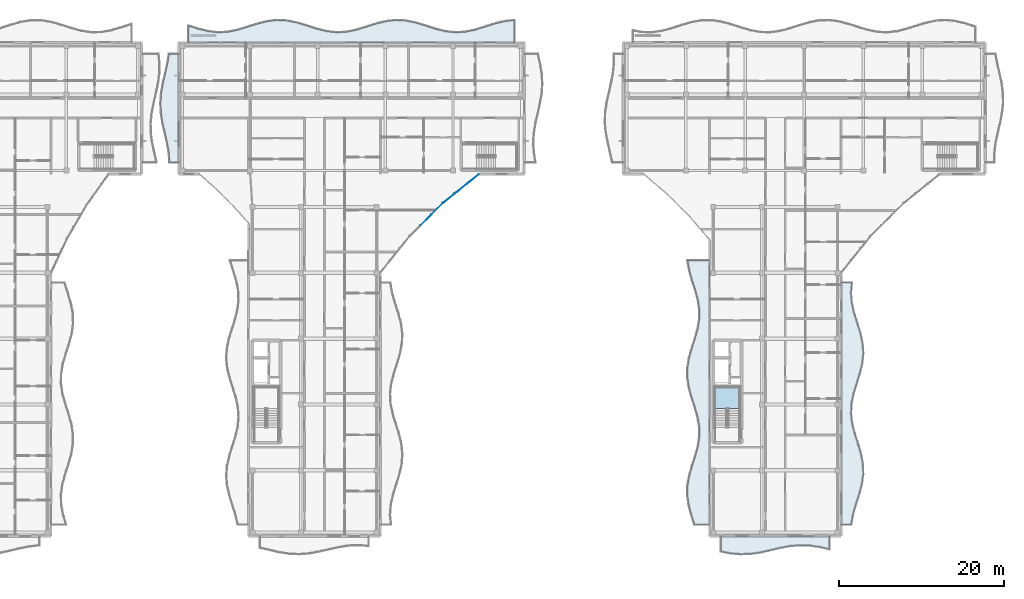
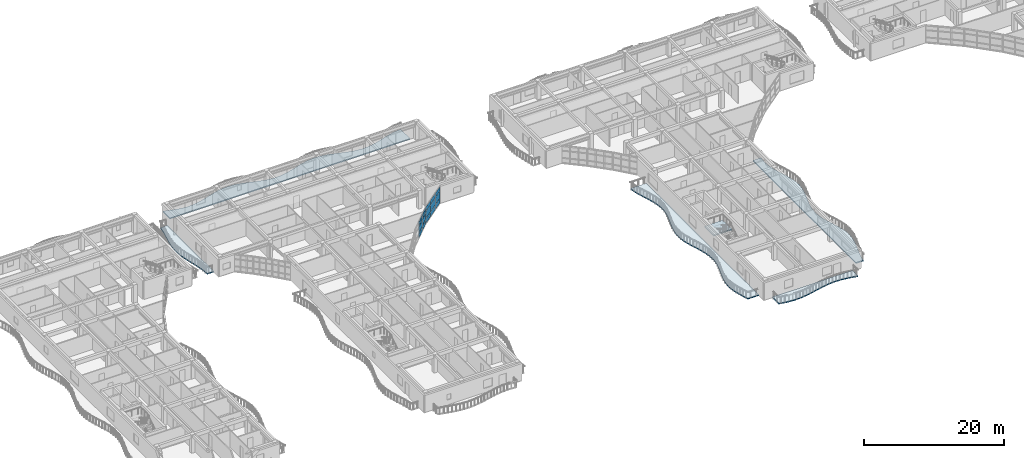
# One storey, part 26 of 76: 15 plates, 6 slabs, 3 elements without a shape of their own.
"""IFC4 building model written with IfcOpenShell, lengths in metres."""

from ifc_helpers import new_model, si_unit, direction, frame, origin, origin_2d, place, context, subcontext, project, spatial, polyline, rectangle, outline, extrude, material, layer, layer_set, type_object, element, aggregate, save


model = new_model("IFC4")

# Units and contexts
model_context = context("Model", 3, precision=1e-05, world=origin(), true_north=direction((0.0, 1.0)))
body_context = subcontext(model_context, "Body", "Model", "MODEL_VIEW")
ifc_project = project(units=[si_unit("LENGTHUNIT", "METRE"), si_unit("AREAUNIT", "SQUARE_METRE"), si_unit("VOLUMEUNIT", "CUBIC_METRE"), si_unit("PLANEANGLEUNIT", "RADIAN"), si_unit("MASSUNIT", "GRAM", prefix="KILO")], contexts=[model_context])

# Site, building, storey
site_placement = place(None, origin())
site = spatial("IfcSite", under=ifc_project, at=site_placement, CompositionType="ELEMENT")
building_placement = place(site_placement, origin())
building = spatial("IfcBuilding", under=site, at=building_placement, Name="Keldmere Railside Commons", CompositionType="ELEMENT")
storey_placement = place(building_placement, frame((0.0, 0.0, 13.760009765625)))
storey = spatial("IfcBuildingStorey", under=building, at=storey_placement, Name="L04", CompositionType="ELEMENT", Elevation=13.760009765625)

# Stair, slab
ifc_material_1 = material(Name="Concrete H-30 (C30/37)", Category="concrete")
stair_type = type_object("IfcStairType", Name="Basement Garage Dogleg Escape Stair 1450", PredefinedType="HALF_TURN_STAIR", material=ifc_material_1)
stair_placement = place(storey_placement, origin())
stair = element("IfcStair", 1, at=stair_placement, inside=storey, type_object=stair_type, Name="L04 Block B Primary Escape Stair 1", PredefinedType="HALF_TURN_STAIR")
ifc_layer_1 = layer(ifc_material_1, 0.199951171875, Name="Enclosed Stair Landing Slab 200")
ifc_layer_set_1 = layer_set([ifc_layer_1], Name="Concrete H-30 (C30/37)")
slab_type_1 = type_object("IfcSlabType", Name="Enclosed Stair Landing Slab 200", PredefinedType="LANDING", material=ifc_layer_set_1)
slab_1_placement = place(storey_placement, frame((0.0, 0.0, 1.39990234375)))
slab_1 = element("IfcSlab", 2, at=slab_1_placement, type_object=slab_type_1, Name="ST-B1 landing 1", PredefinedType="LANDING", context=body_context, shape_type="SweptSolid", body=[
    extrude(outline(polyline([(107.699951171875, 71.52001953125), (107.699951171875, 74.10009765625), (104.64990234375, 74.10009765625), (104.64990234375, 71.52001953125), (107.699951171875, 71.52001953125)])), origin(), (0.0, 0.0, 1.0), 0.2001953125),
])
aggregate(stair, [slab_1])

# Curtain wall, plates
ifc_material_2 = material(Name="Thermally Broken Aluminium", Category="aluminium")
ifc_layer_2 = layer(ifc_material_2, 0.159912109375, Name="Court Chord Wintergarden CW 5400x2850")
ifc_layer_set_2 = layer_set([ifc_layer_2], Name="Thermally Broken Aluminium")
curtain_wall_type_1 = type_object("IfcCurtainWallType", Name="Court Chord Wintergarden CW 5400x2850", PredefinedType="NOTDEFINED", material=ifc_layer_set_2)
curtain_wall_1_placement = place(storey_placement, origin())
curtain_wall_1 = element("IfcCurtainWall", 3, at=curtain_wall_1_placement, inside=storey, type_object=curtain_wall_type_1, Name="CW-13 CW-L04-050", PredefinedType="NOTDEFINED")
ifc_material_3 = material(Name="Insulated Aluminium Spandrel Panel", Category="aluminium")
ifc_layer_3 = layer(ifc_material_3, 0.0439453125, Name="Insulated Ocher Spandrel Panel 44")
ifc_layer_set_3 = layer_set([ifc_layer_3], Name="Insulated Aluminium Spandrel Panel")
plate_type_1 = type_object("IfcPlateType", Name="Insulated Ocher Spandrel Panel 44", PredefinedType="CURTAIN_PANEL", material=ifc_layer_set_3)
plate_1_placement = place(storey_placement, frame((70.88916015625, 95.76513671875, 0.06494140625), z_axis=(0.0, 0.0, 1.0), x_axis=(-0.707106781187, -0.707106781187, 0.0)))
plate_1 = element("IfcPlate", 4, at=plate_1_placement, type_object=plate_type_1, Name="CW-13 panel 1.1", PredefinedType="CURTAIN_PANEL", context=body_context, shape_type="SweptSolid", body=[
    extrude(rectangle(XDim=1.795654296875, YDim=0.0439453125, at=origin_2d()), origin(), (0.0, 0.0, 1.0), 0.802490234375),
])
plate_2_placement = place(storey_placement, frame((70.88916015625, 95.76513671875, 0.932373046875), z_axis=(0.0, 0.0, 1.0), x_axis=(-0.707106781187, -0.707106781187, 0.0)))
plate_2 = element("IfcPlate", 5, at=plate_2_placement, type_object=plate_type_1, Name="CW-13 panel 1.2", PredefinedType="CURTAIN_PANEL", context=body_context, shape_type="SweptSolid", body=[
    extrude(rectangle(XDim=1.795654296875, YDim=0.0439453125, at=origin_2d()), origin(), (0.0, 0.0, 1.0), 1.18505859375),
])
plate_3_placement = place(storey_placement, frame((70.88916015625, 95.76513671875, 2.1826171875), z_axis=(0.0, 0.0, 1.0), x_axis=(-0.707106781187, -0.707106781187, 0.0)))
plate_3 = element("IfcPlate", 6, at=plate_3_placement, type_object=plate_type_1, Name="CW-13 panel 1.3", PredefinedType="CURTAIN_PANEL", context=body_context, shape_type="SweptSolid", body=[
    extrude(rectangle(XDim=1.795654296875, YDim=0.0439453125, at=origin_2d()), origin(), (0.0, 0.0, 1.0), 0.732421875),
])
plate_4_placement = place(storey_placement, frame((69.56201171875, 94.43798828125, 0.06494140625), z_axis=(0.0, 0.0, 1.0), x_axis=(-0.707106781187, -0.707106781187, 0.0)))
plate_4 = element("IfcPlate", 7, at=plate_4_placement, type_object=plate_type_1, Name="CW-13 panel 2.1", PredefinedType="CURTAIN_PANEL", context=body_context, shape_type="SweptSolid", body=[
    extrude(rectangle(XDim=1.828125, YDim=0.0439453125, at=origin_2d()), origin(), (0.0, 0.0, 1.0), 0.802490234375),
])
plate_5_placement = place(storey_placement, frame((69.56201171875, 94.43798828125, 0.932373046875), z_axis=(0.0, 0.0, 1.0), x_axis=(-0.707106781187, -0.707106781187, 0.0)))
plate_5 = element("IfcPlate", 8, at=plate_5_placement, type_object=plate_type_1, Name="CW-13 panel 2.2", PredefinedType="CURTAIN_PANEL", context=body_context, shape_type="SweptSolid", body=[
    extrude(rectangle(XDim=1.828125, YDim=0.0439453125, at=origin_2d()), origin(), (0.0, 0.0, 1.0), 1.18505859375),
])
plate_6_placement = place(storey_placement, frame((69.56201171875, 94.43798828125, 2.1826171875), z_axis=(0.0, 0.0, 1.0), x_axis=(-0.707106781187, -0.707106781187, 0.0)))
plate_6 = element("IfcPlate", 9, at=plate_6_placement, type_object=plate_type_1, Name="CW-13 panel 2.3", PredefinedType="CURTAIN_PANEL", context=body_context, shape_type="SweptSolid", body=[
    extrude(rectangle(XDim=1.828125, YDim=0.0439453125, at=origin_2d()), origin(), (0.0, 0.0, 1.0), 0.732421875),
])
aggregate(curtain_wall_1, [plate_1, plate_2, plate_3, plate_4, plate_5, plate_6])

ifc_layer_4 = layer(ifc_material_2, 0.159912109375, Name="Court Chord Wintergarden CW 4800x2850")
ifc_layer_set_4 = layer_set([ifc_layer_4], Name="Thermally Broken Aluminium")
curtain_wall_type_2 = type_object("IfcCurtainWallType", Name="Court Chord Wintergarden CW 4800x2850", PredefinedType="NOTDEFINED", material=ifc_layer_set_4)
curtain_wall_2_placement = place(storey_placement, origin())
curtain_wall_2 = element("IfcCurtainWall", 10, at=curtain_wall_2_placement, inside=storey, type_object=curtain_wall_type_2, Name="CW-12 CW-L04-051", PredefinedType="NOTDEFINED")
ifc_layer_5 = layer(ifc_material_3, 0.050048828125, Name="Insulated Terracotta Spandrel Panel 50")
ifc_layer_set_5 = layer_set([ifc_layer_5], Name="Insulated Aluminium Spandrel Panel")
plate_type_2 = type_object("IfcPlateType", Name="Insulated Terracotta Spandrel Panel 50", PredefinedType="CURTAIN_PANEL", material=ifc_layer_set_5)
plate_7_placement = place(storey_placement, frame((75.2490234375, 99.3974609375, 0.06494140625), z_axis=(0.0, 0.0, 1.0), x_axis=(-0.780009172323, -0.625768080915, 0.0)))
plate_7 = element("IfcPlate", 11, at=plate_7_placement, type_object=plate_type_2, Name="CW-12 panel 1.1", PredefinedType="CURTAIN_PANEL", context=body_context, shape_type="SweptSolid", body=[
    extrude(rectangle(XDim=1.795654296875, YDim=0.050048828125, at=origin_2d()), origin(), (0.0, 0.0, 1.0), 0.802490234375),
])
plate_8_placement = place(storey_placement, frame((75.2490234375, 99.3974609375, 0.932373046875), z_axis=(0.0, 0.0, 1.0), x_axis=(-0.780009172323, -0.625768080915, 0.0)))
plate_8 = element("IfcPlate", 12, at=plate_8_placement, type_object=plate_type_2, Name="CW-12 panel 1.2", PredefinedType="CURTAIN_PANEL", context=body_context, shape_type="SweptSolid", body=[
    extrude(rectangle(XDim=1.795654296875, YDim=0.050048828125, at=origin_2d()), origin(), (0.0, 0.0, 1.0), 1.18505859375),
])
plate_9_placement = place(storey_placement, frame((75.2490234375, 99.3974609375, 2.1826171875), z_axis=(0.0, 0.0, 1.0), x_axis=(-0.780009172323, -0.625768080915, 0.0)))
plate_9 = element("IfcPlate", 13, at=plate_9_placement, type_object=plate_type_2, Name="CW-12 panel 1.3", PredefinedType="CURTAIN_PANEL", context=body_context, shape_type="SweptSolid", body=[
    extrude(rectangle(XDim=1.795654296875, YDim=0.050048828125, at=origin_2d()), origin(), (0.0, 0.0, 1.0), 0.732421875),
])
plate_10_placement = place(storey_placement, frame((73.784912109375, 98.222900390625, 0.06494140625), z_axis=(0.0, 0.0, 1.0), x_axis=(-0.780009172323, -0.625768080915, 0.0)))
plate_10 = element("IfcPlate", 14, at=plate_10_placement, type_object=plate_type_2, Name="CW-12 panel 2.1", PredefinedType="CURTAIN_PANEL", context=body_context, shape_type="SweptSolid", body=[
    extrude(rectangle(XDim=1.828125, YDim=0.050048828125, at=origin_2d()), origin(), (0.0, 0.0, 1.0), 0.802490234375),
])
plate_11_placement = place(storey_placement, frame((73.784912109375, 98.222900390625, 0.932373046875), z_axis=(0.0, 0.0, 1.0), x_axis=(-0.780009172323, -0.625768080915, 0.0)))
plate_11 = element("IfcPlate", 15, at=plate_11_placement, type_object=plate_type_2, Name="CW-12 panel 2.2", PredefinedType="CURTAIN_PANEL", context=body_context, shape_type="SweptSolid", body=[
    extrude(rectangle(XDim=1.828125, YDim=0.050048828125, at=origin_2d()), origin(), (0.0, 0.0, 1.0), 1.18505859375),
])
plate_12_placement = place(storey_placement, frame((73.784912109375, 98.222900390625, 2.1826171875), z_axis=(0.0, 0.0, 1.0), x_axis=(-0.780009172323, -0.625768080915, 0.0)))
plate_12 = element("IfcPlate", 16, at=plate_12_placement, type_object=plate_type_2, Name="CW-12 panel 2.3", PredefinedType="CURTAIN_PANEL", context=body_context, shape_type="SweptSolid", body=[
    extrude(rectangle(XDim=1.828125, YDim=0.050048828125, at=origin_2d()), origin(), (0.0, 0.0, 1.0), 0.732421875),
])
plate_13_placement = place(storey_placement, frame((72.321044921875, 97.048583984375, 0.06494140625), z_axis=(0.0, 0.0, 1.0), x_axis=(-0.780009172323, -0.625768080915, 0.0)))
plate_13 = element("IfcPlate", 17, at=plate_13_placement, type_object=plate_type_2, Name="CW-12 panel 3.1", PredefinedType="CURTAIN_PANEL", context=body_context, shape_type="SweptSolid", body=[
    extrude(rectangle(XDim=1.795654296875, YDim=0.050048828125, at=origin_2d()), origin(), (0.0, 0.0, 1.0), 0.802490234375),
])
plate_14_placement = place(storey_placement, frame((72.321044921875, 97.048583984375, 0.932373046875), z_axis=(0.0, 0.0, 1.0), x_axis=(-0.780009172323, -0.625768080915, 0.0)))
plate_14 = element("IfcPlate", 18, at=plate_14_placement, type_object=plate_type_2, Name="CW-12 panel 3.2", PredefinedType="CURTAIN_PANEL", context=body_context, shape_type="SweptSolid", body=[
    extrude(rectangle(XDim=1.795654296875, YDim=0.050048828125, at=origin_2d()), origin(), (0.0, 0.0, 1.0), 1.18505859375),
])
plate_15_placement = place(storey_placement, frame((72.321044921875, 97.048583984375, 2.1826171875), z_axis=(0.0, 0.0, 1.0), x_axis=(-0.780009172323, -0.625768080915, 0.0)))
plate_15 = element("IfcPlate", 19, at=plate_15_placement, type_object=plate_type_2, Name="CW-12 panel 3.3", PredefinedType="CURTAIN_PANEL", context=body_context, shape_type="SweptSolid", body=[
    extrude(rectangle(XDim=1.795654296875, YDim=0.050048828125, at=origin_2d()), origin(), (0.0, 0.0, 1.0), 0.732421875),
])
aggregate(curtain_wall_2, [plate_7, plate_8, plate_9, plate_10, plate_11, plate_12, plate_13, plate_14, plate_15])

# Slabs
ifc_material_4 = material(Name="White Precast Concrete H-35 (C35/45)", Category="concrete")
ifc_layer_6 = layer(ifc_material_4, 0.179931640625, Name="Sinusoidal Wave Balcony Slab 180")
ifc_layer_set_6 = layer_set([ifc_layer_6], Name="White Precast Concrete H-35 (C35/45)")
slab_type_2 = type_object("IfcSlabType", Name="Sinusoidal Wave Balcony Slab 180", PredefinedType="FLOOR", material=ifc_layer_set_6)
slab_2_placement = place(storey_placement, frame((0.0, 0.0, -0.179931640625)))
element("IfcSlab", 20, at=slab_2_placement, inside=storey, type_object=slab_type_2, Name="WB-1 C L04 N Wave Balcony", PredefinedType="FLOOR", context=body_context, shape_type="SweptSolid", body=[
    extrude(outline(polyline([(40.699951171875, 116.0), (41.89990234375, 116.0), (43.10009765625, 116.0), (44.300048828125, 116.0), (45.5, 116.0), (46.699951171875, 116.0), (47.89990234375, 116.0), (49.10009765625, 116.0), (50.300048828125, 116.0), (51.5, 116.0), (52.699951171875, 116.0), (53.89990234375, 116.0), (55.10009765625, 116.0), (56.300048828125, 116.0), (57.5, 116.0), (58.699951171875, 116.0), (59.89990234375, 116.0), (61.10009765625, 116.0), (62.300048828125, 116.0), (63.5, 116.0), (64.699951171875, 116.0), (65.89990234375, 116.0), (67.10009765625, 116.0), (68.300048828125, 116.0), (69.5, 116.0), (70.699951171875, 116.0), (71.89990234375, 116.0), (73.10009765625, 116.0), (74.300048828125, 116.0), (75.5, 116.0), (76.699951171875, 116.0), (77.89990234375, 116.0), (79.10009765625, 116.0), (80.300048828125, 116.0), (80.300048828125, 118.697021484375), (79.10009765625, 118.5625), (77.89990234375, 118.263916015625), (76.699951171875, 117.88134765625), (75.5, 117.51708984375), (74.300048828125, 117.268798828125), (73.10009765625, 117.203125), (71.89990234375, 117.33740234375), (70.699951171875, 117.635986328125), (69.5, 118.0185546875), (68.300048828125, 118.3828125), (67.10009765625, 118.631103515625), (65.89990234375, 118.697021484375), (64.699951171875, 118.5625), (63.5, 118.263916015625), (62.300048828125, 117.88134765625), (61.10009765625, 117.51708984375), (59.89990234375, 117.268798828125), (58.699951171875, 117.203125), (57.5, 117.33740234375), (56.300048828125, 117.635986328125), (55.10009765625, 118.0185546875), (53.89990234375, 118.3828125), (52.699951171875, 118.631103515625), (51.5, 118.697021484375), (50.300048828125, 118.5625), (49.10009765625, 118.263916015625), (47.89990234375, 117.88134765625), (46.699951171875, 117.51708984375), (45.5, 117.268798828125), (44.300048828125, 117.203125), (43.10009765625, 117.33740234375), (41.89990234375, 117.635986328125), (40.699951171875, 118.0185546875), (40.699951171875, 116.0)])), origin(), (0.0, 0.0, 1.0), 0.179931640625),
])
slab_3_placement = place(storey_placement, frame((0.0, 0.0, -0.179931640625)))
element("IfcSlab", 21, at=slab_3_placement, inside=storey, type_object=slab_type_2, Name="WB-1 C L04 WW Wave Balcony", PredefinedType="FLOOR", context=body_context, shape_type="SweptSolid", body=[
    extrude(outline(polyline([(39.5, 101.39990234375), (39.5, 102.60009765625), (39.5, 103.800048828125), (39.5, 105.0), (39.5, 106.199951171875), (39.5, 107.39990234375), (39.5, 108.60009765625), (39.5, 109.800048828125), (39.5, 111.0), (39.5, 112.199951171875), (39.5, 113.39990234375), (39.5, 114.60009765625), (38.336181640625, 114.60009765625), (38.142578125, 113.39990234375), (37.87060546875, 112.199951171875), (37.593017578125, 111.0), (37.384521484375, 109.800048828125), (37.30029296875, 108.60009765625), (37.36376953125, 107.39990234375), (37.557373046875, 106.199951171875), (37.829345703125, 105.0), (38.10693359375, 103.800048828125), (38.315673828125, 102.60009765625), (38.399658203125, 101.39990234375), (39.5, 101.39990234375)])), origin(), (0.0, 0.0, 1.0), 0.179931640625),
])
slab_4_placement = place(storey_placement, frame((0.0, 0.0, -0.179931640625)))
element("IfcSlab", 22, at=slab_4_placement, inside=storey, type_object=slab_type_2, Name="WB-1 B L04 CE Wave Balcony", PredefinedType="FLOOR", context=body_context, shape_type="SweptSolid", body=[
    extrude(outline(polyline([(121.230712890625, 57.39990234375), (121.439453125, 58.625), (121.79052734375, 59.85009765625), (122.186279296875, 61.074951171875), (122.515869140625, 62.300048828125), (122.687744140625, 63.52490234375), (122.65380859375, 64.75), (122.423583984375, 65.97509765625), (122.06103515625, 67.199951171875), (121.667724609375, 68.425048828125), (121.353271484375, 69.64990234375), (121.205078125, 70.875), (121.2646484375, 72.10009765625), (121.515625, 73.324951171875), (121.8876953125, 74.550048828125), (122.277099609375, 75.77490234375), (122.5751953125, 77.0), (122.698974609375, 78.22509765625), (122.614013671875, 79.449951171875), (122.343505859375, 80.675048828125), (121.96337890625, 81.89990234375), (121.57958984375, 83.125), (121.299072265625, 84.35009765625), (121.2001953125, 85.574951171875), (121.310302734375, 86.800048828125), (120.0, 86.800048828125), (120.0, 85.574951171875), (120.0, 84.35009765625), (120.0, 83.125), (120.0, 81.89990234375), (120.0, 80.675048828125), (120.0, 79.449951171875), (120.0, 78.22509765625), (120.0, 77.0), (120.0, 75.77490234375), (120.0, 74.550048828125), (120.0, 73.324951171875), (120.0, 72.10009765625), (120.0, 70.875), (120.0, 69.64990234375), (120.0, 68.425048828125), (120.0, 67.199951171875), (120.0, 65.97509765625), (120.0, 64.75), (120.0, 63.52490234375), (120.0, 62.300048828125), (120.0, 61.074951171875), (120.0, 59.85009765625), (120.0, 58.625), (120.0, 57.39990234375), (121.230712890625, 57.39990234375)])), origin(), (0.0, 0.0, 1.0), 0.179931640625),
])
slab_5_placement = place(storey_placement, frame((0.0, 0.0, -0.179931640625)))
element("IfcSlab", 23, at=slab_5_placement, inside=storey, type_object=slab_type_2, Name="WB-1 B L04 CW Wave Balcony", PredefinedType="FLOOR", context=body_context, shape_type="SweptSolid", body=[
    extrude(outline(polyline([(104.0, 57.39990234375), (104.0, 58.5888671875), (104.0, 59.77783203125), (104.0, 60.966796875), (104.0, 62.155517578125), (104.0, 63.344482421875), (104.0, 64.533203125), (104.0, 65.72216796875), (104.0, 66.9111328125), (104.0, 68.10009765625), (104.0, 69.288818359375), (104.0, 70.477783203125), (104.0, 71.666748046875), (104.0, 72.855712890625), (104.0, 74.04443359375), (104.0, 75.2333984375), (104.0, 76.422119140625), (104.0, 77.611083984375), (104.0, 78.800048828125), (104.0, 79.989013671875), (104.0, 81.177734375), (104.0, 82.36669921875), (104.0, 83.5556640625), (104.0, 84.744384765625), (104.0, 85.933349609375), (104.0, 87.122314453125), (104.0, 88.31103515625), (104.0, 89.5), (101.336669921875, 89.5), (101.54541015625, 88.31103515625), (101.886962890625, 87.122314453125), (102.271240234375, 85.933349609375), (102.597412109375, 84.744384765625), (102.779541015625, 83.5556640625), (102.769775390625, 82.36669921875), (102.570556640625, 81.177734375), (102.234375, 79.989013671875), (101.849609375, 78.800048828125), (101.517578125, 77.611083984375), (101.32568359375, 76.422119140625), (101.324462890625, 75.2333984375), (101.513916015625, 74.04443359375), (101.844482421875, 72.855712890625), (102.229248046875, 71.666748046875), (102.566650390625, 70.477783203125), (102.768310546875, 69.288818359375), (102.78076171875, 68.10009765625), (102.60107421875, 66.9111328125), (102.2763671875, 65.72216796875), (101.89208984375, 64.533203125), (101.54931640625, 63.344482421875), (101.33837890625, 62.155517578125), (101.314697265625, 60.966796875), (101.484375, 59.77783203125), (101.802978515625, 58.5888671875), (102.1865234375, 57.39990234375), (104.0, 57.39990234375)])), origin(), (0.0, 0.0, 1.0), 0.179931640625),
])
slab_6_placement = place(storey_placement, frame((0.0, 0.0, -0.179931640625)))
element("IfcSlab", 24, at=slab_6_placement, inside=storey, type_object=slab_type_2, Name="WB-1 B L04 S Wave Balcony", PredefinedType="FLOOR", context=body_context, shape_type="SweptSolid", body=[
    extrude(outline(polyline([(105.39990234375, 54.127197265625), (106.60009765625, 53.90576171875), (107.800048828125, 53.802978515625), (109.0, 53.84716796875), (110.199951171875, 54.02587890625), (111.39990234375, 54.29150390625), (112.60009765625, 54.57275390625), (113.800048828125, 54.794189453125), (115.0, 54.89697265625), (116.199951171875, 54.852783203125), (117.39990234375, 54.67431640625), (118.60009765625, 54.40869140625), (118.60009765625, 56.0), (117.39990234375, 56.0), (116.199951171875, 56.0), (115.0, 56.0), (113.800048828125, 56.0), (112.60009765625, 56.0), (111.39990234375, 56.0), (110.199951171875, 56.0), (109.0, 56.0), (107.800048828125, 56.0), (106.60009765625, 56.0), (105.39990234375, 56.0), (105.39990234375, 54.127197265625)])), origin(), (0.0, 0.0, 1.0), 0.179931640625),
])

save(model, "model.ifc")
